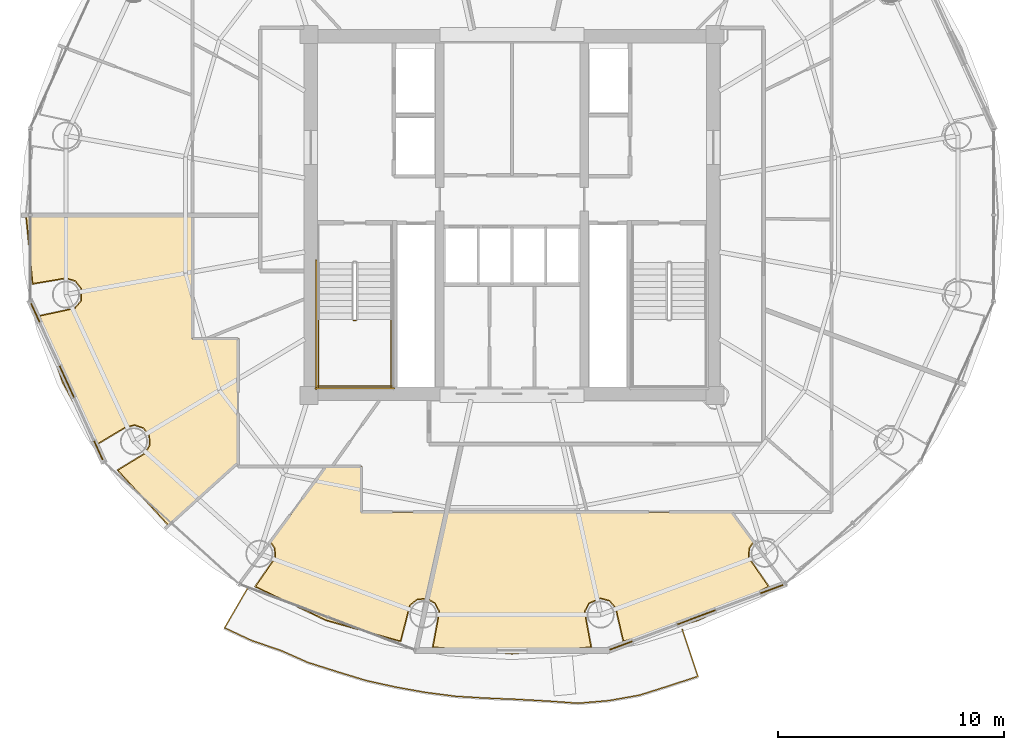
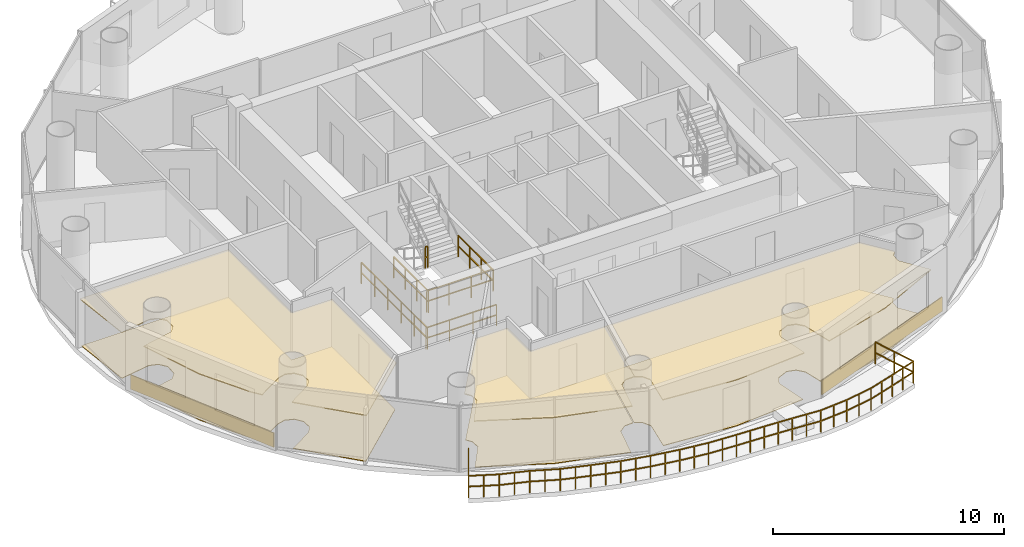
# One storey, part 24 of 26: 8 coverings, 7 railings.
"""IFC4 building model written with IfcOpenShell, lengths in metres."""

from ifc_helpers import new_model, si_unit, direction, frame, origin, origin_2d, place, context, subcontext, project, spatial, polyline, rectangle, outline, extrude, source, transform, mapped, material, layer, layer_set, type_object, element, save


model = new_model("IFC4")

# Units and contexts
model_context = context("Model", 3, precision=1e-05, world=origin(), true_north=direction((-0.2419218956, 0.970295726276)))
body_context = subcontext(model_context, "Body", "Model", "MODEL_VIEW")
ifc_project = project(units=[si_unit("LENGTHUNIT", "METRE"), si_unit("AREAUNIT", "SQUARE_METRE"), si_unit("VOLUMEUNIT", "CUBIC_METRE"), si_unit("PLANEANGLEUNIT", "RADIAN"), si_unit("MASSUNIT", "GRAM", prefix="KILO")], contexts=[model_context])

# Site, building, storey
site_placement = place(None, origin())
site = spatial("IfcSite", under=ifc_project, at=site_placement, CompositionType="ELEMENT")
building_placement = place(site_placement, origin())
building = spatial("IfcBuilding", under=site, at=building_placement, Name="Cobrevalo Terracotta Tower", CompositionType="ELEMENT")
storey_placement = place(building_placement, frame((0.0, 0.0, 235.60009765625)))
storey = spatial("IfcBuildingStorey", under=building, at=storey_placement, Name="L62", CompositionType="ELEMENT", Elevation=235.60009765625)

# Railing
ifc_material_1 = material(Name="Laminated structural glass and stainless steel", Category="steel")
railing_type_1 = type_object("IfcRailingType", Name="Balcony lobe structural glass & terracotta-cap balustrade 1180 mm", PredefinedType="BALUSTRADE", material=ifc_material_1)
railing_1_placement = place(storey_placement, frame((26.314208984375, 10.318603515625, 0.0)))
element("IfcRailing", 1, at=railing_1_placement, inside=storey, type_object=railing_type_1, Name="L62 spiralling balcony lobe balustrade 2", PredefinedType="BALUSTRADE", context=body_context, shape_type="SweptSolid", body=[
    extrude(rectangle(XDim=0.048095703125, YDim=0.048095703125, at=origin_2d()), frame((0.0, 0.0, 1.15576171875), z_axis=(-0.501381111848, -0.865226548762, 0.0), x_axis=(0.865226548762, -0.501381111848, 0.0)), (0.0, 0.0, 1.0), 2.0927734375),
    extrude(rectangle(XDim=0.048095703125, YDim=0.048095703125, at=origin_2d()), frame((0.0, 0.0, 0.58984375), z_axis=(-0.501381111848, -0.865226548762, 0.0), x_axis=(0.865226548762, -0.501381111848, 0.0)), (0.0, 0.0, 1.0), 2.0927734375),
    extrude(rectangle(XDim=0.048095703125, YDim=0.048095703125, at=origin_2d()), frame((-1.04931640625, -1.810791015625, 1.15576171875), z_axis=(0.906042804807, -0.423186053477, 0.0), x_axis=(0.423186053477, 0.906042804807, 0.0)), (0.0, 0.0, 1.0), 1.333740234375),
    extrude(rectangle(XDim=0.048095703125, YDim=0.048095703125, at=origin_2d()), frame((-1.04931640625, -1.810791015625, 0.58984375), z_axis=(0.906042804807, -0.423186053477, 0.0), x_axis=(0.423186053477, 0.906042804807, 0.0)), (0.0, 0.0, 1.0), 1.333740234375),
    extrude(rectangle(XDim=0.048095703125, YDim=0.048095703125, at=origin_2d()), frame((0.1591796875, -2.375244140625, 1.15576171875), z_axis=(0.946852382666, -0.321668409142, 0.0), x_axis=(0.321668409142, 0.946852382666, 0.0)), (0.0, 0.0, 1.0), 1.344970703125),
    extrude(rectangle(XDim=0.048095703125, YDim=0.048095703125, at=origin_2d()), frame((0.1591796875, -2.375244140625, 0.58984375), z_axis=(0.946852382666, -0.321668409142, 0.0), x_axis=(0.321668409142, 0.946852382666, 0.0)), (0.0, 0.0, 1.0), 1.344970703125),
    extrude(rectangle(XDim=0.048095703125, YDim=0.048095703125, at=origin_2d()), frame((1.4326171875, -2.807861328125, 1.15576171875), z_axis=(0.915009359233, -0.403432612114, 0.0), x_axis=(0.403432612114, 0.915009359233, 0.0)), (0.0, 0.0, 1.0), 1.33203125),
    extrude(rectangle(XDim=0.048095703125, YDim=0.048095703125, at=origin_2d()), frame((1.4326171875, -2.807861328125, 0.58984375), z_axis=(0.915009359233, -0.403432612114, 0.0), x_axis=(0.403432612114, 0.915009359233, 0.0)), (0.0, 0.0, 1.0), 1.33203125),
    extrude(rectangle(XDim=0.048095703125, YDim=0.048095703125, at=origin_2d()), frame((2.6513671875, -3.34521484375, 1.15576171875), z_axis=(0.953276692194, -0.302098573515, 0.0), x_axis=(0.302098573515, 0.953276692194, 0.0)), (0.0, 0.0, 1.0), 1.3408203125),
    extrude(rectangle(XDim=0.048095703125, YDim=0.048095703125, at=origin_2d()), frame((2.6513671875, -3.34521484375, 0.58984375), z_axis=(0.953276692194, -0.302098573515, 0.0), x_axis=(0.302098573515, 0.953276692194, 0.0)), (0.0, 0.0, 1.0), 1.3408203125),
    extrude(rectangle(XDim=0.048095703125, YDim=0.048095703125, at=origin_2d()), frame((3.929443359375, -3.750244140625, 1.15576171875), z_axis=(0.956422199644, -0.291987287444, 0.0), x_axis=(0.291987287444, 0.956422199644, 0.0)), (0.0, 0.0, 1.0), 1.341064453125),
    extrude(rectangle(XDim=0.048095703125, YDim=0.048095703125, at=origin_2d()), frame((3.929443359375, -3.750244140625, 0.58984375), z_axis=(0.956422199644, -0.291987287444, 0.0), x_axis=(0.291987287444, 0.956422199644, 0.0)), (0.0, 0.0, 1.0), 1.341064453125),
    extrude(rectangle(XDim=0.048095703125, YDim=0.048095703125, at=origin_2d()), frame((5.212158203125, -4.141845703125, 1.15576171875), z_axis=(0.976472605786, -0.215641485222, 0.0), x_axis=(0.215641485222, 0.976472605786, 0.0)), (0.0, 0.0, 1.0), 1.343994140625),
    extrude(rectangle(XDim=0.048095703125, YDim=0.048095703125, at=origin_2d()), frame((5.212158203125, -4.141845703125, 0.58984375), z_axis=(0.976472605786, -0.215641485222, 0.0), x_axis=(0.215641485222, 0.976472605786, 0.0)), (0.0, 0.0, 1.0), 1.343994140625),
    extrude(rectangle(XDim=0.048095703125, YDim=0.048095703125, at=origin_2d()), frame((6.5244140625, -4.431640625, 1.15576171875), z_axis=(0.984244540978, -0.176812566169, 0.0), x_axis=(0.176812566169, 0.984244540978, 0.0)), (0.0, 0.0, 1.0), 1.34765625),
    extrude(rectangle(XDim=0.048095703125, YDim=0.048095703125, at=origin_2d()), frame((6.5244140625, -4.431640625, 0.58984375), z_axis=(0.984244540978, -0.176812566169, 0.0), x_axis=(0.176812566169, 0.984244540978, 0.0)), (0.0, 0.0, 1.0), 1.34765625),
    extrude(rectangle(XDim=0.048095703125, YDim=0.048095703125, at=origin_2d()), frame((7.850830078125, -4.669921875, 1.15576171875), z_axis=(0.991753356917, -0.128161144826, 0.0), x_axis=(0.128161144826, 0.991753356917, 0.0)), (0.0, 0.0, 1.0), 1.3466796875),
    extrude(rectangle(XDim=0.048095703125, YDim=0.048095703125, at=origin_2d()), frame((7.850830078125, -4.669921875, 0.58984375), z_axis=(0.991753356917, -0.128161144826, 0.0), x_axis=(0.128161144826, 0.991753356917, 0.0)), (0.0, 0.0, 1.0), 1.3466796875),
    extrude(rectangle(XDim=0.048095703125, YDim=0.048095703125, at=origin_2d()), frame((9.1865234375, -4.842529296875, 1.15576171875), z_axis=(0.998209595798, -0.059813065932, 0.0), x_axis=(0.059813065932, 0.998209595798, 0.0)), (0.0, 0.0, 1.0), 1.35107421875),
    extrude(rectangle(XDim=0.048095703125, YDim=0.048095703125, at=origin_2d()), frame((9.1865234375, -4.842529296875, 0.58984375), z_axis=(0.998209595798, -0.059813065932, 0.0), x_axis=(0.059813065932, 0.998209595798, 0.0)), (0.0, 0.0, 1.0), 1.35107421875),
    extrude(rectangle(XDim=0.048095703125, YDim=0.048095703125, at=origin_2d()), frame((10.53515625, -4.92333984375, 1.15576171875), z_axis=(0.999193719982, -0.040148598341, 0.0), x_axis=(0.040148598341, 0.999193719982, 0.0)), (0.0, 0.0, 1.0), 1.349853515625),
    extrude(rectangle(XDim=0.048095703125, YDim=0.048095703125, at=origin_2d()), frame((10.53515625, -4.92333984375, 0.58984375), z_axis=(0.999193719982, -0.040148598341, 0.0), x_axis=(0.040148598341, 0.999193719982, 0.0)), (0.0, 0.0, 1.0), 1.349853515625),
    extrude(rectangle(XDim=0.048095703125, YDim=0.048095703125, at=origin_2d()), frame((11.884033203125, -4.9775390625, 1.15576171875), z_axis=(0.99852916845, -0.054217153699, 0.0), x_axis=(0.054217153699, 0.99852916845, 0.0)), (0.0, 0.0, 1.0), 1.35986328125),
    extrude(rectangle(XDim=0.048095703125, YDim=0.048095703125, at=origin_2d()), frame((11.884033203125, -4.9775390625, 0.58984375), z_axis=(0.99852916845, -0.054217153699, 0.0), x_axis=(0.054217153699, 0.99852916845, 0.0)), (0.0, 0.0, 1.0), 1.35986328125),
    extrude(rectangle(XDim=0.048095703125, YDim=0.048095703125, at=origin_2d()), frame((13.241943359375, -5.05126953125, 1.15576171875), z_axis=(0.997406367418, -0.071975955947, 0.0), x_axis=(0.071975955947, 0.997406367418, 0.0)), (0.0, 0.0, 1.0), 1.380615234375),
    extrude(rectangle(XDim=0.048095703125, YDim=0.048095703125, at=origin_2d()), frame((13.241943359375, -5.05126953125, 0.58984375), z_axis=(0.997406367418, -0.071975955947, 0.0), x_axis=(0.071975955947, 0.997406367418, 0.0)), (0.0, 0.0, 1.0), 1.380615234375),
    extrude(rectangle(XDim=0.048095703125, YDim=0.048095703125, at=origin_2d()), frame((14.618896484375, -5.150634765625, 1.15576171875), z_axis=(0.996297924176, 0.085967704879, 0.0), x_axis=(-0.085967704879, 0.996297924176, 0.0)), (0.0, 0.0, 1.0), 1.368896484375),
    extrude(rectangle(XDim=0.048095703125, YDim=0.048095703125, at=origin_2d()), frame((14.618896484375, -5.150634765625, 0.58984375), z_axis=(0.996297924176, 0.085967704879, 0.0), x_axis=(-0.085967704879, 0.996297924176, 0.0)), (0.0, 0.0, 1.0), 1.368896484375),
    extrude(rectangle(XDim=0.048095703125, YDim=0.048095703125, at=origin_2d()), frame((15.982666015625, -5.032958984375, 1.15576171875), z_axis=(0.984535223792, 0.175186737832, 0.0), x_axis=(-0.175186737832, 0.984535223792, 0.0)), (0.0, 0.0, 1.0), 1.371337890625),
    extrude(rectangle(XDim=0.048095703125, YDim=0.048095703125, at=origin_2d()), frame((15.982666015625, -5.032958984375, 0.58984375), z_axis=(0.984535223792, 0.175186737832, 0.0), x_axis=(-0.175186737832, 0.984535223792, 0.0)), (0.0, 0.0, 1.0), 1.371337890625),
    extrude(rectangle(XDim=0.048095703125, YDim=0.048095703125, at=origin_2d()), frame((17.332763671875, -4.792724609375, 1.15576171875), z_axis=(0.953655593491, 0.30090033068, 0.0), x_axis=(-0.30090033068, 0.953655593491, 0.0)), (0.0, 0.0, 1.0), 1.365478515625),
    extrude(rectangle(XDim=0.048095703125, YDim=0.048095703125, at=origin_2d()), frame((17.332763671875, -4.792724609375, 0.58984375), z_axis=(0.953655593491, 0.30090033068, 0.0), x_axis=(-0.30090033068, 0.953655593491, 0.0)), (0.0, 0.0, 1.0), 1.365478515625),
    extrude(rectangle(XDim=0.048095703125, YDim=0.048095703125, at=origin_2d()), frame((18.635009765625, -4.3818359375, 1.15576171875), z_axis=(0.95030353613, 0.311324893351, 0.0), x_axis=(-0.311324893351, 0.95030353613, 0.0)), (0.0, 0.0, 1.0), 1.360595703125),
    extrude(rectangle(XDim=0.048095703125, YDim=0.048095703125, at=origin_2d()), frame((18.635009765625, -4.3818359375, 0.58984375), z_axis=(0.95030353613, 0.311324893351, 0.0), x_axis=(-0.311324893351, 0.95030353613, 0.0)), (0.0, 0.0, 1.0), 1.360595703125),
    extrude(rectangle(XDim=0.048095703125, YDim=0.048095703125, at=origin_2d()), frame((19.927978515625, -3.958251953125, 1.15576171875), z_axis=(-0.318355996208, 0.947971233571, 0.0), x_axis=(-0.947971233571, -0.318355996208, 0.0)), (0.0, 0.0, 1.0), 2.20166015625),
    extrude(rectangle(XDim=0.048095703125, YDim=0.048095703125, at=origin_2d()), frame((19.927978515625, -3.958251953125, 0.58984375), z_axis=(-0.318355996208, 0.947971233571, 0.0), x_axis=(-0.947971233571, -0.318355996208, 0.0)), (0.0, 0.0, 1.0), 2.20166015625),
    extrude(rectangle(XDim=0.0419921875, YDim=0.0419921875, at=origin_2d()), origin(), (0.0, 0.0, 1.0), 1.1318359375),
    extrude(rectangle(XDim=0.0419921875, YDim=0.0419921875, at=origin_2d()), frame((-0.524658203125, -0.9052734375, 0.0)), (0.0, 0.0, 1.0), 1.1318359375),
    extrude(rectangle(XDim=0.0419921875, YDim=0.0419921875, at=origin_2d()), frame((-1.04931640625, -1.810791015625, 0.0)), (0.0, 0.0, 1.0), 1.1318359375),
    extrude(rectangle(XDim=0.0419921875, YDim=0.0419921875, at=origin_2d()), frame((-0.445068359375, -2.093017578125, 0.0)), (0.0, 0.0, 1.0), 1.1318359375),
    extrude(rectangle(XDim=0.0419921875, YDim=0.0419921875, at=origin_2d()), frame((0.1591796875, -2.375244140625, 0.0)), (0.0, 0.0, 1.0), 1.1318359375),
    extrude(rectangle(XDim=0.0419921875, YDim=0.0419921875, at=origin_2d()), frame((0.7958984375, -2.591552734375, 0.0)), (0.0, 0.0, 1.0), 1.1318359375),
    extrude(rectangle(XDim=0.0419921875, YDim=0.0419921875, at=origin_2d()), frame((1.4326171875, -2.807861328125, 0.0)), (0.0, 0.0, 1.0), 1.1318359375),
    extrude(rectangle(XDim=0.0419921875, YDim=0.0419921875, at=origin_2d()), frame((2.0419921875, -3.07666015625, 0.0)), (0.0, 0.0, 1.0), 1.1318359375),
    extrude(rectangle(XDim=0.0419921875, YDim=0.0419921875, at=origin_2d()), frame((2.6513671875, -3.34521484375, 0.0)), (0.0, 0.0, 1.0), 1.1318359375),
    extrude(rectangle(XDim=0.0419921875, YDim=0.0419921875, at=origin_2d()), frame((3.29052734375, -3.5478515625, 0.0)), (0.0, 0.0, 1.0), 1.1318359375),
    extrude(rectangle(XDim=0.0419921875, YDim=0.0419921875, at=origin_2d()), frame((3.929443359375, -3.750244140625, 0.0)), (0.0, 0.0, 1.0), 1.1318359375),
    extrude(rectangle(XDim=0.0419921875, YDim=0.0419921875, at=origin_2d()), frame((4.57080078125, -3.946044921875, 0.0)), (0.0, 0.0, 1.0), 1.1318359375),
    extrude(rectangle(XDim=0.0419921875, YDim=0.0419921875, at=origin_2d()), frame((5.212158203125, -4.141845703125, 0.0)), (0.0, 0.0, 1.0), 1.1318359375),
    extrude(rectangle(XDim=0.0419921875, YDim=0.0419921875, at=origin_2d()), frame((5.8681640625, -4.28662109375, 0.0)), (0.0, 0.0, 1.0), 1.1318359375),
    extrude(rectangle(XDim=0.0419921875, YDim=0.0419921875, at=origin_2d()), frame((6.5244140625, -4.431640625, 0.0)), (0.0, 0.0, 1.0), 1.1318359375),
    extrude(rectangle(XDim=0.0419921875, YDim=0.0419921875, at=origin_2d()), frame((7.1875, -4.55078125, 0.0)), (0.0, 0.0, 1.0), 1.1318359375),
    extrude(rectangle(XDim=0.0419921875, YDim=0.0419921875, at=origin_2d()), frame((7.850830078125, -4.669921875, 0.0)), (0.0, 0.0, 1.0), 1.1318359375),
    extrude(rectangle(XDim=0.0419921875, YDim=0.0419921875, at=origin_2d()), frame((8.5185546875, -4.75634765625, 0.0)), (0.0, 0.0, 1.0), 1.1318359375),
    extrude(rectangle(XDim=0.0419921875, YDim=0.0419921875, at=origin_2d()), frame((9.1865234375, -4.842529296875, 0.0)), (0.0, 0.0, 1.0), 1.1318359375),
    extrude(rectangle(XDim=0.0419921875, YDim=0.0419921875, at=origin_2d()), frame((9.86083984375, -4.8828125, 0.0)), (0.0, 0.0, 1.0), 1.1318359375),
    extrude(rectangle(XDim=0.0419921875, YDim=0.0419921875, at=origin_2d()), frame((10.53515625, -4.92333984375, 0.0)), (0.0, 0.0, 1.0), 1.1318359375),
    extrude(rectangle(XDim=0.0419921875, YDim=0.0419921875, at=origin_2d()), frame((11.20947265625, -4.950439453125, 0.0)), (0.0, 0.0, 1.0), 1.1318359375),
    extrude(rectangle(XDim=0.0419921875, YDim=0.0419921875, at=origin_2d()), frame((11.884033203125, -4.9775390625, 0.0)), (0.0, 0.0, 1.0), 1.1318359375),
    extrude(rectangle(XDim=0.0419921875, YDim=0.0419921875, at=origin_2d()), frame((12.56298828125, -5.014404296875, 0.0)), (0.0, 0.0, 1.0), 1.1318359375),
    extrude(rectangle(XDim=0.0419921875, YDim=0.0419921875, at=origin_2d()), frame((13.241943359375, -5.05126953125, 0.0)), (0.0, 0.0, 1.0), 1.1318359375),
    extrude(rectangle(XDim=0.0419921875, YDim=0.0419921875, at=origin_2d()), frame((13.930419921875, -5.10107421875, 0.0)), (0.0, 0.0, 1.0), 1.1318359375),
    extrude(rectangle(XDim=0.0419921875, YDim=0.0419921875, at=origin_2d()), frame((14.618896484375, -5.150634765625, 0.0)), (0.0, 0.0, 1.0), 1.1318359375),
    extrude(rectangle(XDim=0.0419921875, YDim=0.0419921875, at=origin_2d()), frame((15.30078125, -5.091796875, 0.0)), (0.0, 0.0, 1.0), 1.1318359375),
    extrude(rectangle(XDim=0.0419921875, YDim=0.0419921875, at=origin_2d()), frame((15.982666015625, -5.032958984375, 0.0)), (0.0, 0.0, 1.0), 1.1318359375),
    extrude(rectangle(XDim=0.0419921875, YDim=0.0419921875, at=origin_2d()), frame((16.65771484375, -4.912841796875, 0.0)), (0.0, 0.0, 1.0), 1.1318359375),
    extrude(rectangle(XDim=0.0419921875, YDim=0.0419921875, at=origin_2d()), frame((17.332763671875, -4.792724609375, 0.0)), (0.0, 0.0, 1.0), 1.1318359375),
    extrude(rectangle(XDim=0.0419921875, YDim=0.0419921875, at=origin_2d()), frame((17.98388671875, -4.58740234375, 0.0)), (0.0, 0.0, 1.0), 1.1318359375),
    extrude(rectangle(XDim=0.0419921875, YDim=0.0419921875, at=origin_2d()), frame((18.635009765625, -4.3818359375, 0.0)), (0.0, 0.0, 1.0), 1.1318359375),
    extrude(rectangle(XDim=0.0419921875, YDim=0.0419921875, at=origin_2d()), frame((19.281494140625, -4.169921875, 0.0)), (0.0, 0.0, 1.0), 1.1318359375),
    extrude(rectangle(XDim=0.0419921875, YDim=0.0419921875, at=origin_2d()), frame((19.927978515625, -3.958251953125, 0.0)), (0.0, 0.0, 1.0), 1.1318359375),
    extrude(rectangle(XDim=0.0419921875, YDim=0.0419921875, at=origin_2d()), frame((19.57763671875, -2.91455078125, 0.0)), (0.0, 0.0, 1.0), 1.1318359375),
    extrude(rectangle(XDim=0.0419921875, YDim=0.0419921875, at=origin_2d()), frame((19.22705078125, -1.87109375, 0.0)), (0.0, 0.0, 1.0), 1.1318359375),
])

# Coverings
ifc_material_2 = material(Name="Engineered Brazilian hardwood flooring", Category="wood")
ifc_layer_1 = layer(ifc_material_2, 0.028076171875)
ifc_layer_set_1 = layer_set([ifc_layer_1], Name="Engineered Brazilian hardwood flooring")
covering_type_1 = type_object("IfcCoveringType", Name="Engineered Hardwood Suite Flooring 28", PredefinedType="FLOORING", material=ifc_layer_set_1)
covering_1_placement = place(storey_placement, origin())
element("IfcCovering", 2, at=covering_1_placement, inside=storey, type_object=covering_type_1, Name="Flat L62C Penthouse Living and Dining Room floor finish", PredefinedType="FLOORING", context=body_context, shape_type="SweptSolid", body=[
    extrude(outline(polyline([(22.779052734375, 13.072265625), (20.546875, 15.4912109375), (21.74267578125, 16.223388671875), (21.963623046875, 16.591796875), (21.94287109375, 17.020751953125), (21.68701171875, 17.3662109375), (21.28271484375, 17.51123046875), (20.86669921875, 17.407470703125), (19.662109375, 16.6865234375), (19.36279296875, 17.0908203125), (18.117919921875, 19.368896484375), (17.09228515625, 22.322998046875), (18.635986328125, 22.655029296875), (18.9150390625, 22.981689453125), (18.926513671875, 23.548095703125), (18.66064453125, 23.8857421875), (18.251953125, 24.0185546875), (16.7734375, 23.76953125), (16.4814453125, 26.780029296875), (23.824951171875, 26.780029296875), (23.824951171875, 21.300048828125), (25.8349609375, 21.300048828125), (25.8349609375, 15.833740234375), (22.779052734375, 13.072265625)])), origin(), (0.0, 0.0, 1.0), 0.02978515625),
])
covering_2_placement = place(storey_placement, origin())
element("IfcCovering", 3, at=covering_2_placement, inside=storey, type_object=covering_type_1, Name="Flat L62C Penthouse Family Lounge floor finish", PredefinedType="FLOORING", context=body_context, shape_type="SweptSolid", body=[
    extrude(outline(polyline([(26.6455078125, 10.34033203125), (27.522705078125, 11.610107421875), (27.502685546875, 12.039306640625), (27.318603515625, 12.320556640625), (29.76953125, 15.635009765625), (31.300048828125, 15.635009765625), (31.300048828125, 13.625), (35.07958984375, 13.625), (34.240234375, 9.812255859375), (33.801025390625, 9.78662109375), (33.462890625, 9.521484375), (33.0517578125, 7.93017578125), (29.763916015625, 8.858642578125), (26.6455078125, 10.34033203125)])), origin(), (0.0, 0.0, 1.0), 0.02978515625),
])
covering_3_placement = place(storey_placement, origin())
element("IfcCovering", 4, at=covering_3_placement, inside=storey, type_object=covering_type_1, Name="Flat L62D Living and Dining Room floor finish", PredefinedType="FLOORING", context=body_context, shape_type="SweptSolid", body=[
    extrude(outline(polyline([(46.236083984375, 8.858642578125), (42.9482421875, 7.93017578125), (42.6083984375, 9.39501953125), (42.32861328125, 9.72119140625), (41.91455078125, 9.836669921875), (41.396240234375, 9.6083984375), (41.2021484375, 9.22509765625), (41.490234375, 7.66845703125), (38.0, 7.380126953125), (34.509765625, 7.66845703125), (34.7978515625, 9.22509765625), (34.603759765625, 9.6083984375), (34.279052734375, 9.802978515625), (35.120361328125, 13.625), (47.716796875, 13.625), (48.681396484375, 12.320556640625), (48.497314453125, 12.039306640625), (48.477294921875, 11.610107421875), (49.3544921875, 10.34033203125), (46.236083984375, 8.858642578125)])), origin(), (0.0, 0.0, 1.0), 0.02978515625),
])
ifc_material_3 = material(Name="Acoustic perforated gypsum ceiling", Category="gypsum")
ifc_layer_2 = layer(ifc_material_3, 0.050048828125)
ifc_layer_set_2 = layer_set([ifc_layer_2], Name="Acoustic perforated gypsum ceiling")
covering_type_2 = type_object("IfcCoveringType", Name="Perforated Acoustic Gypsum Ceiling 50", PredefinedType="CEILING", material=ifc_layer_set_2)
covering_4_placement = place(storey_placement, frame((0.0, 0.0, 2.44482421875)))
element("IfcCovering", 5, at=covering_4_placement, inside=storey, type_object=covering_type_2, Name="Flat L62C Penthouse Living and Dining Room acoustic ceiling", PredefinedType="CEILING", context=body_context, shape_type="SweptSolid", body=[
    extrude(outline(polyline([(22.77685546875, 13.009765625), (20.481201171875, 15.50439453125), (21.712158203125, 16.2568359375), (21.919921875, 16.602783203125), (21.900390625, 17.005615234375), (21.66015625, 17.329833984375), (21.280517578125, 17.466064453125), (20.887939453125, 17.36767578125), (19.650146484375, 16.626953125), (19.32470703125, 17.06640625), (18.076904296875, 19.35009765625), (17.038330078125, 22.359130859375), (18.611572265625, 22.693359375), (18.873779296875, 23.0), (18.88427734375, 23.53173828125), (18.634765625, 23.8486328125), (18.2509765625, 23.973388671875), (16.73876953125, 23.717529296875), (16.43310546875, 26.824951171875), (23.8701171875, 26.824951171875), (23.8701171875, 21.344970703125), (25.8798828125, 21.344970703125), (25.8798828125, 15.813720703125), (22.77685546875, 13.009765625)])), origin(), (0.0, 0.0, 1.0), 0.050048828125),
])
covering_5_placement = place(storey_placement, frame((0.0, 0.0, 2.44482421875)))
element("IfcCovering", 6, at=covering_5_placement, inside=storey, type_object=covering_type_2, Name="Flat L62C Penthouse Family Lounge acoustic ceiling", PredefinedType="CEILING", context=body_context, shape_type="SweptSolid", body=[
    extrude(outline(polyline([(26.579833984375, 10.327392578125), (27.478759765625, 11.621337890625), (27.460205078125, 12.024169921875), (27.25830078125, 12.314697265625), (29.746826171875, 15.679931640625), (31.344970703125, 15.679931640625), (31.344970703125, 13.669921875), (35.135498046875, 13.669921875), (34.275146484375, 9.76123046875), (33.8173828125, 9.74462890625), (33.499755859375, 9.49560546875), (33.08642578125, 7.878173828125), (29.748291015625, 8.81640625), (26.579833984375, 10.327392578125)])), origin(), (0.0, 0.0, 1.0), 0.050048828125),
])
covering_6_placement = place(storey_placement, frame((0.0, 0.0, 2.44482421875)))
element("IfcCovering", 7, at=covering_6_placement, inside=storey, type_object=covering_type_2, Name="Flat L62D Living and Dining Room acoustic ceiling", PredefinedType="CEILING", context=body_context, shape_type="SweptSolid", body=[
    extrude(outline(polyline([(46.251708984375, 8.81640625), (42.91357421875, 7.878173828125), (42.56689453125, 9.376953125), (42.30419921875, 9.68310546875), (41.915771484375, 9.79150390625), (41.428955078125, 9.5771484375), (41.246826171875, 9.21728515625), (41.544189453125, 7.632568359375), (38.0, 7.3349609375), (34.455810546875, 7.632568359375), (34.753173828125, 9.21728515625), (34.571044921875, 9.5771484375), (34.2265625, 9.77294921875), (35.084228515625, 13.669921875), (47.739501953125, 13.669921875), (48.74169921875, 12.314697265625), (48.539794921875, 12.024169921875), (48.521240234375, 11.621337890625), (49.420166015625, 10.327392578125), (46.251708984375, 8.81640625)])), origin(), (0.0, 0.0, 1.0), 0.050048828125),
])

# Railings
ifc_material_4 = material(Name="Painted galvanized steel", Category="steel")
railing_type_2 = type_object("IfcRailingType", Name="Stair Well Guard Balustrade 1150", PredefinedType="GUARDRAIL", material=ifc_material_4)
railing_2_placement = place(storey_placement, frame((30.97509765625, 22.1298828125, 1.849853515625)))
element("IfcRailing", 8, at=railing_2_placement, inside=storey, type_object=railing_type_2, Name="L62 ST-1 stair guard 2", PredefinedType="GUARDRAIL", context=body_context, shape_type="SweptSolid", body=[
    extrude(rectangle(XDim=0.048095703125, YDim=0.048095703125, at=origin_2d()), frame((0.0, 0.0, 1.1259765625), z_axis=(1.0, 0.0, 0.0), x_axis=(0.0, 1.0, 0.0)), (0.0, 0.0, 1.0), 0.119873046875),
    extrude(rectangle(XDim=0.048095703125, YDim=0.048095703125, at=origin_2d()), frame((0.0, 0.0, 0.574951171875), z_axis=(1.0, 0.0, 0.0), x_axis=(0.0, 1.0, 0.0)), (0.0, 0.0, 1.0), 0.119873046875),
    extrude(rectangle(XDim=0.0419921875, YDim=0.0419921875, at=origin_2d()), origin(), (0.0, 0.0, 1.0), 1.101806640625),
    extrude(rectangle(XDim=0.0419921875, YDim=0.0419921875, at=origin_2d()), frame((0.119873046875, 0.0, 0.0)), (0.0, 0.0, 1.0), 1.101806640625),
])
for number, where, name in (
    (9, (29.425048828125, 22.179931640625, 1.849853515625), "L62 ST-1 stair guard 3"),
    (10, (32.64501953125, 22.179931640625, 1.849853515625), "L62 ST-1 stair guard 4"),
):
    element("IfcRailing", number, at=place(storey_placement, frame(where)), inside=storey, type_object=railing_type_2, Name=name, PredefinedType="GUARDRAIL", context=body_context, shape_type="SweptSolid", body=[
        extrude(rectangle(XDim=0.048095703125, YDim=0.048095703125, at=origin_2d()), frame((0.0, 0.0, 1.1259765625), z_axis=(0.0, -1.0, 0.0), x_axis=(1.0, 0.0, 0.0)), (0.0, 0.0, 1.0), 3.0048828125),
        extrude(rectangle(XDim=0.048095703125, YDim=0.048095703125, at=origin_2d()), frame((0.0, 0.0, 0.574951171875), z_axis=(0.0, -1.0, 0.0), x_axis=(1.0, 0.0, 0.0)), (0.0, 0.0, 1.0), 3.0048828125),
        extrude(rectangle(XDim=0.0419921875, YDim=0.0419921875, at=origin_2d()), origin(), (0.0, 0.0, 1.0), 1.101806640625),
        extrude(rectangle(XDim=0.0419921875, YDim=0.0419921875, at=origin_2d()), frame((0.0, -1.001708984375, 0.0)), (0.0, 0.0, 1.0), 1.101806640625),
        extrude(rectangle(XDim=0.0419921875, YDim=0.0419921875, at=origin_2d()), frame((0.0, -2.003173828125, 0.0)), (0.0, 0.0, 1.0), 1.101806640625),
        extrude(rectangle(XDim=0.0419921875, YDim=0.0419921875, at=origin_2d()), frame((0.0, -3.0048828125, 0.0)), (0.0, 0.0, 1.0), 1.101806640625),
    ])
railing_3_placement = place(storey_placement, frame((29.375, 19.22509765625, 1.849853515625)))
element("IfcRailing", 11, at=railing_3_placement, inside=storey, type_object=railing_type_2, Name="L62 ST-1 stair guard 5", PredefinedType="GUARDRAIL", context=body_context, shape_type="SweptSolid", body=[
    extrude(rectangle(XDim=0.048095703125, YDim=0.048095703125, at=origin_2d()), frame((0.0, 0.0, 1.1259765625), z_axis=(1.0, 0.0, 0.0), x_axis=(0.0, 1.0, 0.0)), (0.0, 0.0, 1.0), 3.320068359375),
    extrude(rectangle(XDim=0.048095703125, YDim=0.048095703125, at=origin_2d()), frame((0.0, 0.0, 0.574951171875), z_axis=(1.0, 0.0, 0.0), x_axis=(0.0, 1.0, 0.0)), (0.0, 0.0, 1.0), 3.320068359375),
    extrude(rectangle(XDim=0.0419921875, YDim=0.0419921875, at=origin_2d()), origin(), (0.0, 0.0, 1.0), 1.101806640625),
    extrude(rectangle(XDim=0.0419921875, YDim=0.0419921875, at=origin_2d()), frame((1.106689453125, 0.0, 0.0)), (0.0, 0.0, 1.0), 1.101806640625),
    extrude(rectangle(XDim=0.0419921875, YDim=0.0419921875, at=origin_2d()), frame((2.21337890625, 0.0, 0.0)), (0.0, 0.0, 1.0), 1.101806640625),
    extrude(rectangle(XDim=0.0419921875, YDim=0.0419921875, at=origin_2d()), frame((3.320068359375, 0.0, 0.0)), (0.0, 0.0, 1.0), 1.101806640625),
])
railing_4_placement = place(storey_placement, frame((29.324951171875, 24.800048828125, 0.0)))
element("IfcRailing", 12, at=railing_4_placement, inside=storey, type_object=railing_type_2, Name="L62 ST-1 stair guard 10", PredefinedType="GUARDRAIL", context=body_context, shape_type="SweptSolid", body=[
    extrude(rectangle(XDim=0.048095703125, YDim=0.048095703125, at=origin_2d()), frame((0.0, 0.0, 1.1259765625), z_axis=(0.0, -1.0, 0.0), x_axis=(1.0, 0.0, 0.0)), (0.0, 0.0, 1.0), 5.72509765625),
    extrude(rectangle(XDim=0.048095703125, YDim=0.048095703125, at=origin_2d()), frame((0.0, 0.0, 0.574951171875), z_axis=(0.0, -1.0, 0.0), x_axis=(1.0, 0.0, 0.0)), (0.0, 0.0, 1.0), 5.72509765625),
    extrude(rectangle(XDim=0.0419921875, YDim=0.0419921875, at=origin_2d()), origin(), (0.0, 0.0, 1.0), 1.101806640625),
    extrude(rectangle(XDim=0.0419921875, YDim=0.0419921875, at=origin_2d()), frame((0.0, -1.14501953125, 0.0)), (0.0, 0.0, 1.0), 1.101806640625),
    extrude(rectangle(XDim=0.0419921875, YDim=0.0419921875, at=origin_2d()), frame((0.0, -2.2900390625, 0.0)), (0.0, 0.0, 1.0), 1.101806640625),
    extrude(rectangle(XDim=0.0419921875, YDim=0.0419921875, at=origin_2d()), frame((0.0, -3.43505859375, 0.0)), (0.0, 0.0, 1.0), 1.101806640625),
    extrude(rectangle(XDim=0.0419921875, YDim=0.0419921875, at=origin_2d()), frame((0.0, -4.580078125, 0.0)), (0.0, 0.0, 1.0), 1.101806640625),
    extrude(rectangle(XDim=0.0419921875, YDim=0.0419921875, at=origin_2d()), frame((0.0, -5.72509765625, 0.0)), (0.0, 0.0, 1.0), 1.101806640625),
])
railing_5_placement = place(storey_placement, frame((29.27490234375, 19.125, 0.0)))
element("IfcRailing", 13, at=railing_5_placement, inside=storey, type_object=railing_type_2, Name="L62 ST-1 stair guard 12", PredefinedType="GUARDRAIL", context=body_context, shape_type="SweptSolid", body=[
    extrude(rectangle(XDim=0.048095703125, YDim=0.048095703125, at=origin_2d()), frame((0.0, 0.0, 1.1259765625), z_axis=(1.0, 0.0, 0.0), x_axis=(0.0, 1.0, 0.0)), (0.0, 0.0, 1.0), 3.52001953125),
    extrude(rectangle(XDim=0.048095703125, YDim=0.048095703125, at=origin_2d()), frame((0.0, 0.0, 0.574951171875), z_axis=(1.0, 0.0, 0.0), x_axis=(0.0, 1.0, 0.0)), (0.0, 0.0, 1.0), 3.52001953125),
    extrude(rectangle(XDim=0.0419921875, YDim=0.0419921875, at=origin_2d()), origin(), (0.0, 0.0, 1.0), 1.101806640625),
    extrude(rectangle(XDim=0.0419921875, YDim=0.0419921875, at=origin_2d()), frame((1.17333984375, 0.0, 0.0)), (0.0, 0.0, 1.0), 1.101806640625),
    extrude(rectangle(XDim=0.0419921875, YDim=0.0419921875, at=origin_2d()), frame((2.3466796875, 0.0, 0.0)), (0.0, 0.0, 1.0), 1.101806640625),
    extrude(rectangle(XDim=0.0419921875, YDim=0.0419921875, at=origin_2d()), frame((3.52001953125, 0.0, 0.0)), (0.0, 0.0, 1.0), 1.101806640625),
])

# Coverings
ifc_material_5 = material(Name="Glazed terracotta facade cladding tile", Category="masonry")
ifc_layer_3 = layer(ifc_material_5, 0.044921875)
ifc_layer_set_3 = layer_set([ifc_layer_3], Name="Glazed terracotta facade cladding tile")
covering_type_3 = type_object("IfcCoveringType", Name="Architectural terracotta rainscreen spandrel cladding 45 mm", PredefinedType="CLADDING", material=ifc_layer_set_3)
shared_shape_1 = source(origin(), body_context, "Body", "SweptSolid", [
    extrude(rectangle(XDim=7.60009765625, YDim=0.044921875, at=origin_2d()), origin(), (0.0, 0.0, 1.0), 0.760009765625),
])
covering_7_placement = place(storey_placement, frame((18.273681640625, 19.417236328125, 0.0400390625), z_axis=(0.0, 0.0, 1.0), x_axis=(0.416731425355, -0.909029657999, 0.0)))
element("IfcCovering", 14, at=covering_7_placement, inside=storey, type_object=covering_type_3, Name="L62 terracotta spandrel cladding S09", PredefinedType="CLADDING", context=body_context, shape_type="MappedRepresentation", body=[
    mapped(shared_shape_1, transform((0.0, 0.0, 0.0), scale=1.0)),
])
shared_shape_2 = source(origin(), body_context, "Body", "SweptSolid", [
    extrude(rectangle(XDim=8.17919921875, YDim=0.044921875, at=origin_2d()), origin(), (0.0, 0.0, 1.0), 0.760009765625),
])
covering_8_placement = place(storey_placement, frame((46.1708984375, 8.9765625, 0.0400390625), z_axis=(0.0, 0.0, 1.0), x_axis=(0.936557839879, 0.350513070458, 0.0)))
element("IfcCovering", 15, at=covering_8_placement, inside=storey, type_object=covering_type_3, Name="L62 terracotta spandrel cladding S13", PredefinedType="CLADDING", context=body_context, shape_type="MappedRepresentation", body=[
    mapped(shared_shape_2, transform((0.0, 0.0, 0.0), scale=1.0)),
])

save(model, "model.ifc")
